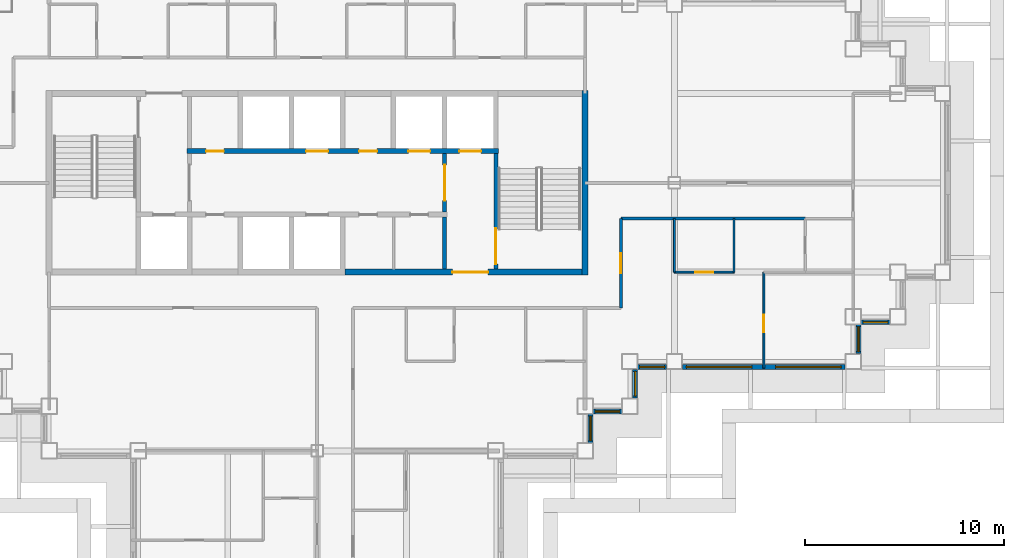
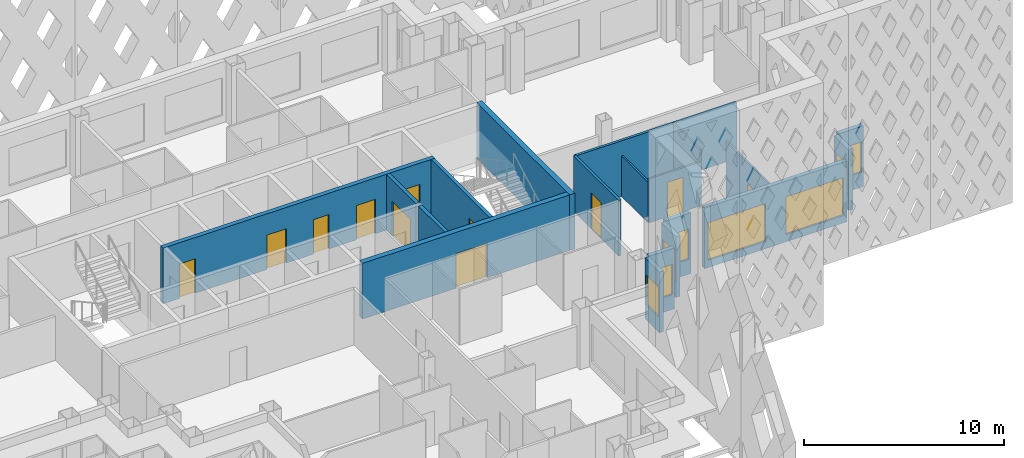
# One storey, part 6 of 19: 19 walls, 11 doors, 8 windows, 19 openings.
"""IFC4 building model written with IfcOpenShell, lengths in metres."""

from ifc_helpers import new_model, si_unit, direction, frame, frame_2d, origin, place, context, subcontext, project, spatial, rectangle, extrude, material, layer, layer_set, type_object, element, fill, save


model = new_model("IFC4")

# Units and contexts
model_context = context("Model", 3, precision=1e-05, world=origin(), true_north=direction((0.0, 1.0)))
body_context = subcontext(model_context, "Body", "Model", "MODEL_VIEW")
ifc_project = project(units=[si_unit("LENGTHUNIT", "METRE"), si_unit("AREAUNIT", "SQUARE_METRE"), si_unit("VOLUMEUNIT", "CUBIC_METRE"), si_unit("PLANEANGLEUNIT", "RADIAN"), si_unit("MASSUNIT", "GRAM", prefix="KILO")], contexts=[model_context])

# Site, building, storey
site_placement = place(None, origin())
site = spatial("IfcSite", under=ifc_project, at=site_placement, CompositionType="ELEMENT")
building_placement = place(site_placement, origin())
building = spatial("IfcBuilding", under=site, at=building_placement, Name="Caravel Reach Hotel and Residences", CompositionType="ELEMENT")
storey_placement = place(building_placement, frame((0.0, 0.0, 150.60009765625)))
storey = spatial("IfcBuildingStorey", under=building, at=storey_placement, Name="L37", CompositionType="ELEMENT", Elevation=150.60009765625)

# Wall
ifc_material_1 = material(Name="Autoclaved aerated block wall")
ifc_layer_1 = layer(ifc_material_1, 0.199951171875)
ifc_layer_set_1 = layer_set([ifc_layer_1], Name="Compartment wall 200 mm EI 120")
wall_type_1 = type_object("IfcWallType", Name="Compartment wall 200 mm EI 120", PredefinedType="PARTITIONING", material=ifc_layer_set_1)
wall_1_placement = place(storey_placement, frame((37.928466796875, 22.64990234375, 0.0), z_axis=(0.0, 0.0, 1.0), x_axis=(0.0, 1.0, 0.0)))
element("IfcWall", 1, at=wall_1_placement, inside=storey, type_object=wall_type_1, Name="L37 store partition", PredefinedType="PARTITIONING", context=body_context, shape_type="SweptSolid", body=[
    extrude(rectangle(XDim=2.625, YDim=0.199951171875, at=frame_2d((1.3125, 0.0))), origin(), (0.0, 0.0, 1.0), 3.39990234375),
])

# Wall, opening, door
ifc_material_2 = material(Name="Concrete C60", Category="concrete")
ifc_layer_2 = layer(ifc_material_2, 0.300048828125)
ifc_layer_set_2 = layer_set([ifc_layer_2], Name="Core wall 300 mm EI 120")
wall_type_2 = type_object("IfcWallType", Name="Core wall 300 mm EI 120", PredefinedType="SHEAR", material=ifc_layer_set_2)
wall_2_placement = place(storey_placement, frame((32.91064453125, 22.5, 0.0), z_axis=(0.0, 0.0, 1.0), x_axis=(1.0, 0.0, 0.0)))
wall_2 = element("IfcWall", 2, at=wall_2_placement, inside=storey, type_object=wall_type_2, Name="L37 core wall S3", PredefinedType="SHEAR", context=body_context, shape_type="SweptSolid", body=[
    extrude(rectangle(XDim=11.939453125, YDim=0.300048828125, at=frame_2d((5.9697265625, 0.0))), origin(), (0.0, 0.0, 1.0), 3.39990234375),
])
opening_1_placement = place(wall_2_placement, frame((5.403564453125, 0.0, 0.0)))
opening_1 = element("IfcOpeningElement", 3, at=opening_1_placement, cuts=wall_2, Name="Opening D37-016", PredefinedType="OPENING", context=body_context, shape_type="SweptSolid", body=[
    extrude(rectangle(XDim=1.800048828125, YDim=2.10009765625, at=frame_2d((0.89990234375, 1.050048828125))), frame((0.0, 0.159912109375, 0.0), z_axis=(0.0, -1.0, 0.0), x_axis=(1.0, 0.0, 0.0)), (0.0, 0.0, 1.0), 0.320068359375),
])
ifc_material_3 = material(Name="Steel fire door leaf", Category="steel")
door_type_1 = type_object("IfcDoorType", Name="Fire lobby door pair 1800 x 2100 EI 90", OperationType="DOUBLE_DOOR_SINGLE_SWING", PredefinedType="DOOR", material=ifc_material_3)
door_1_placement = place(opening_1_placement, origin())
door_1 = element("IfcDoor", 4, at=door_1_placement, inside=storey, type_object=door_type_1, Name="lobby S door pair to corridor", OperationType="DOUBLE_DOOR_SINGLE_SWING", OverallHeight=2.10009765625, OverallWidth=1.800048828125, PredefinedType="DOOR", context=body_context, shape_type="SweptSolid", body=[
    extrude(rectangle(XDim=1.800048828125, YDim=2.10009765625, at=frame_2d((0.89990234375, 1.050048828125))), frame((0.0, 0.02490234375, 0.0), z_axis=(0.0, -1.0, 0.0), x_axis=(1.0, 0.0, 0.0)), (0.0, 0.0, 1.0), 0.050048828125),
])
fill(opening_1, door_1)

# Walls
wall_3_placement = place(storey_placement, frame((45.0, 22.35009765625, 0.0), z_axis=(0.0, 0.0, 1.0), x_axis=(0.0, 1.0, 0.0)))
element("IfcWall", 5, at=wall_3_placement, inside=storey, type_object=wall_type_2, Name="L37 core wall E", PredefinedType="SHEAR", context=body_context, shape_type="SweptSolid", body=[
    extrude(rectangle(XDim=9.2998046875, YDim=0.300048828125, at=frame_2d((4.64990234375, 0.0))), origin(), (0.0, 0.0, 1.0), 3.39990234375),
])
ifc_material_4 = material(Name="Gypsum board on steel stud, fire-rated", Category="steel")
ifc_layer_3 = layer(ifc_material_4, 0.14990234375)
ifc_layer_set_3 = layer_set([ifc_layer_3], Name="Corridor wall 150 mm EI 60")
wall_type_3 = type_object("IfcWallType", Name="Corridor wall 150 mm EI 60", PredefinedType="PARTITIONING", material=ifc_layer_set_3)
wall_4_placement = place(storey_placement, frame((46.801025390625, 25.199951171875, 0.0), z_axis=(0.0, 0.0, 1.0), x_axis=(1.0, 0.0, 0.0)))
element("IfcWall", 6, at=wall_4_placement, inside=storey, type_object=wall_type_3, Name="L37 wall w006", PredefinedType="PARTITIONING", context=body_context, shape_type="SweptSolid", body=[
    extrude(rectangle(XDim=9.299072265625, YDim=0.14990234375, at=frame_2d((4.6494140625, 0.0))), origin(), (0.0, 0.0, 1.0), 3.39990234375),
])

# Wall, opening, door
wall_5_placement = place(storey_placement, frame((46.800048828125, 20.699951171875, 0.0), z_axis=(0.0, 0.0, 1.0), x_axis=(0.0, 1.0, 0.0)))
wall_5 = element("IfcWall", 7, at=wall_5_placement, inside=storey, type_object=wall_type_3, Name="L37 wall w032", PredefinedType="PARTITIONING", context=body_context, shape_type="SweptSolid", body=[
    extrude(rectangle(XDim=4.4990234375, YDim=0.14990234375, at=frame_2d((2.24951171875, 0.0))), origin(), (0.0, 0.0, 1.0), 3.39990234375),
])
opening_2_placement = place(wall_5_placement, frame((1.74951171875, 0.0, 0.0)))
opening_2 = element("IfcOpeningElement", 8, at=opening_2_placement, cuts=wall_5, Name="Opening D37-031", PredefinedType="OPENING", context=body_context, shape_type="SweptSolid", body=[
    extrude(rectangle(XDim=1.0, YDim=2.199951171875, at=frame_2d((0.5, 1.10009765625))), frame((0.0, 0.0849609375, 0.0), z_axis=(0.0, -1.0, 0.0), x_axis=(1.0, 0.0, 0.0)), (0.0, 0.0, 1.0), 0.169921875),
])
ifc_material_5 = material(Name="Steel fire door leaf", Category="steel")
door_type_2 = type_object("IfcDoorType", Name="Flat entrance door 1000 x 2200 EI 60", OperationType="SINGLE_SWING_LEFT", PredefinedType="DOOR", material=ifc_material_5)
door_2_placement = place(opening_2_placement, origin())
door_2 = element("IfcDoor", 9, at=door_2_placement, inside=storey, type_object=door_type_2, Name="door D37-031", OperationType="SINGLE_SWING_LEFT", OverallHeight=2.199951171875, OverallWidth=1.0, PredefinedType="DOOR", context=body_context, shape_type="SweptSolid", body=[
    extrude(rectangle(XDim=1.0, YDim=2.199951171875, at=frame_2d((0.5, 1.10009765625))), frame((0.0, 0.02490234375, 0.0), z_axis=(0.0, -1.0, 0.0), x_axis=(1.0, 0.0, 0.0)), (0.0, 0.0, 1.0), 0.050048828125),
])
fill(opening_2, door_2)

# Wall, opening, window
ifc_material_6 = material(Name="Insulated rainscreen wall, aluminium cladding", Category="aluminium")
ifc_layer_4 = layer(ifc_material_6, 0.25)
ifc_layer_set_4 = layer_set([ifc_layer_4], Name="EW1 Tower rainscreen wall")
wall_type_4 = type_object("IfcWallType", Name="EW1 Tower rainscreen wall", PredefinedType="SOLIDWALL", material=ifc_layer_set_4)
wall_6_placement = place(storey_placement, frame((45.27490234375, 13.89990234375, 0.0), z_axis=(0.0, 0.0, 1.0), x_axis=(0.0, 1.0, 0.0)))
wall_6 = element("IfcWall", 10, at=wall_6_placement, inside=storey, type_object=wall_type_4, Name="External wall L37 E12.1", PredefinedType="SOLIDWALL", context=body_context, shape_type="SweptSolid", body=[
    extrude(rectangle(XDim=1.4501953125, YDim=0.25, at=frame_2d((0.72509765625, 0.0))), origin(), (0.0, 0.0, 1.0), 3.699951171875),
])
opening_3_placement = place(wall_6_placement, frame((0.10009765625, 0.0, 0.89990234375)))
opening_3 = element("IfcOpeningElement", 11, at=opening_3_placement, cuts=wall_6, Name="Opening WN13", PredefinedType="OPENING", context=body_context, shape_type="SweptSolid", body=[
    extrude(rectangle(XDim=1.25, YDim=1.85009765625, at=frame_2d((0.625, 0.925048828125))), frame((0.0, 0.135009765625, 0.0), z_axis=(0.0, -1.0, 0.0), x_axis=(1.0, 0.0, 0.0)), (0.0, 0.0, 1.0), 0.27001953125),
])
ifc_material_7 = material(Name="Dark low-e glazing in black aluminium frame", Category="aluminium")
window_type_1 = type_object("IfcWindowType", Name="Residence bedroom window 1250 x 1850", PartitioningType="SINGLE_PANEL", PredefinedType="WINDOW", material=ifc_material_7)
window_1_placement = place(opening_3_placement, origin())
window_1 = element("IfcWindow", 12, at=window_1_placement, inside=storey, type_object=window_type_1, Name="Window L37 E12.1.1", OverallHeight=1.85009765625, OverallWidth=1.25, PartitioningType="SINGLE_PANEL", PredefinedType="WINDOW", context=body_context, shape_type="SweptSolid", body=[
    extrude(rectangle(XDim=1.25, YDim=1.85009765625, at=frame_2d((0.625, 0.925048828125))), frame((0.0, 0.030029296875, 0.0), z_axis=(0.0, -1.0, 0.0), x_axis=(1.0, 0.0, 0.0)), (0.0, 0.0, 1.0), 0.06005859375),
])
fill(opening_3, window_1)

wall_7_placement = place(storey_placement, frame((45.39990234375, 15.47509765625, 0.0), z_axis=(0.0, 0.0, 1.0), x_axis=(1.0, 0.0, 0.0)))
wall_7 = element("IfcWall", 13, at=wall_7_placement, inside=storey, type_object=wall_type_4, Name="External wall L37 S13.1", PredefinedType="SOLIDWALL", context=body_context, shape_type="SweptSolid", body=[
    extrude(rectangle(XDim=1.4501953125, YDim=0.25, at=frame_2d((0.72509765625, 0.0))), origin(), (0.0, 0.0, 1.0), 3.699951171875),
])
opening_4_placement = place(wall_7_placement, frame((0.10009765625, 0.0, 0.89990234375)))
opening_4 = element("IfcOpeningElement", 14, at=opening_4_placement, cuts=wall_7, Name="Opening WN13", PredefinedType="OPENING", context=body_context, shape_type="SweptSolid", body=[
    extrude(rectangle(XDim=1.25, YDim=1.85009765625, at=frame_2d((0.625, 0.925048828125))), frame((0.0, 0.135009765625, 0.0), z_axis=(0.0, -1.0, 0.0), x_axis=(1.0, 0.0, 0.0)), (0.0, 0.0, 1.0), 0.27001953125),
])
window_2_placement = place(opening_4_placement, origin())
window_2 = element("IfcWindow", 15, at=window_2_placement, inside=storey, type_object=window_type_1, Name="Window L37 S13.1.1", OverallHeight=1.85009765625, OverallWidth=1.25, PartitioningType="SINGLE_PANEL", PredefinedType="WINDOW", context=body_context, shape_type="SweptSolid", body=[
    extrude(rectangle(XDim=1.25, YDim=1.85009765625, at=frame_2d((0.625, 0.925048828125))), frame((0.0, 0.030029296875, 0.0), z_axis=(0.0, -1.0, 0.0), x_axis=(1.0, 0.0, 0.0)), (0.0, 0.0, 1.0), 0.06005859375),
])
fill(opening_4, window_2)

wall_8_placement = place(storey_placement, frame((47.52490234375, 16.14990234375, 0.0), z_axis=(0.0, 0.0, 1.0), x_axis=(0.0, 1.0, 0.0)))
wall_8 = element("IfcWall", 16, at=wall_8_placement, inside=storey, type_object=wall_type_4, Name="External wall L37 E14.1", PredefinedType="SOLIDWALL", context=body_context, shape_type="SweptSolid", body=[
    extrude(rectangle(XDim=1.4501953125, YDim=0.25, at=frame_2d((0.72509765625, 0.0))), origin(), (0.0, 0.0, 1.0), 3.699951171875),
])
opening_5_placement = place(wall_8_placement, frame((0.10009765625, 0.0, 0.89990234375)))
opening_5 = element("IfcOpeningElement", 17, at=opening_5_placement, cuts=wall_8, Name="Opening WN13", PredefinedType="OPENING", context=body_context, shape_type="SweptSolid", body=[
    extrude(rectangle(XDim=1.25, YDim=1.85009765625, at=frame_2d((0.625, 0.925048828125))), frame((0.0, 0.135009765625, 0.0), z_axis=(0.0, -1.0, 0.0), x_axis=(1.0, 0.0, 0.0)), (0.0, 0.0, 1.0), 0.27001953125),
])
window_3_placement = place(opening_5_placement, origin())
window_3 = element("IfcWindow", 18, at=window_3_placement, inside=storey, type_object=window_type_1, Name="Window L37 E14.1.1", OverallHeight=1.85009765625, OverallWidth=1.25, PartitioningType="SINGLE_PANEL", PredefinedType="WINDOW", context=body_context, shape_type="SweptSolid", body=[
    extrude(rectangle(XDim=1.25, YDim=1.85009765625, at=frame_2d((0.625, 0.925048828125))), frame((0.0, 0.030029296875, 0.0), z_axis=(0.0, -1.0, 0.0), x_axis=(1.0, 0.0, 0.0)), (0.0, 0.0, 1.0), 0.06005859375),
])
fill(opening_5, window_3)

wall_9_placement = place(storey_placement, frame((47.64990234375, 17.72509765625, 0.0), z_axis=(0.0, 0.0, 1.0), x_axis=(1.0, 0.0, 0.0)))
wall_9 = element("IfcWall", 19, at=wall_9_placement, inside=storey, type_object=wall_type_4, Name="External wall L37 S15.1", PredefinedType="SOLIDWALL", context=body_context, shape_type="SweptSolid", body=[
    extrude(rectangle(XDim=1.4501953125, YDim=0.25, at=frame_2d((0.72509765625, 0.0))), origin(), (0.0, 0.0, 1.0), 3.699951171875),
])
opening_6_placement = place(wall_9_placement, frame((0.10009765625, 0.0, 0.89990234375)))
opening_6 = element("IfcOpeningElement", 20, at=opening_6_placement, cuts=wall_9, Name="Opening WN13", PredefinedType="OPENING", context=body_context, shape_type="SweptSolid", body=[
    extrude(rectangle(XDim=1.25, YDim=1.85009765625, at=frame_2d((0.625, 0.925048828125))), frame((0.0, 0.135009765625, 0.0), z_axis=(0.0, -1.0, 0.0), x_axis=(1.0, 0.0, 0.0)), (0.0, 0.0, 1.0), 0.27001953125),
])
window_4_placement = place(opening_6_placement, origin())
window_4 = element("IfcWindow", 21, at=window_4_placement, inside=storey, type_object=window_type_1, Name="Window L37 S15.1.1", OverallHeight=1.85009765625, OverallWidth=1.25, PartitioningType="SINGLE_PANEL", PredefinedType="WINDOW", context=body_context, shape_type="SweptSolid", body=[
    extrude(rectangle(XDim=1.25, YDim=1.85009765625, at=frame_2d((0.625, 0.925048828125))), frame((0.0, 0.030029296875, 0.0), z_axis=(0.0, -1.0, 0.0), x_axis=(1.0, 0.0, 0.0)), (0.0, 0.0, 1.0), 0.06005859375),
])
fill(opening_6, window_4)

# Wall, openings, windows
wall_10_placement = place(storey_placement, frame((49.89990234375, 17.72509765625, 0.0), z_axis=(0.0, 0.0, 1.0), x_axis=(1.0, 0.0, 0.0)))
wall_10 = element("IfcWall", 22, at=wall_10_placement, inside=storey, type_object=wall_type_4, Name="External wall L37 S15.2", PredefinedType="SOLIDWALL", context=body_context, shape_type="SweptSolid", body=[
    extrude(rectangle(XDim=8.2001953125, YDim=0.25, at=frame_2d((4.10009765625, 0.0))), origin(), (0.0, 0.0, 1.0), 3.699951171875),
])
opening_7_placement = place(wall_10_placement, frame((0.199951171875, 0.0, 0.449951171875)))
opening_7 = element("IfcOpeningElement", 23, at=opening_7_placement, cuts=wall_10, Name="Opening WN15", PredefinedType="OPENING", context=body_context, shape_type="SweptSolid", body=[
    extrude(rectangle(XDim=3.300048828125, YDim=2.300048828125, at=frame_2d((1.64990234375, 1.14990234375))), frame((0.0, 0.135009765625, 0.0), z_axis=(0.0, -1.0, 0.0), x_axis=(1.0, 0.0, 0.0)), (0.0, 0.0, 1.0), 0.27001953125),
])
opening_8_placement = place(wall_10_placement, frame((4.699951171875, 0.0, 0.449951171875)))
opening_8 = element("IfcOpeningElement", 24, at=opening_8_placement, cuts=wall_10, Name="Opening WN15", PredefinedType="OPENING", context=body_context, shape_type="SweptSolid", body=[
    extrude(rectangle(XDim=3.300048828125, YDim=2.300048828125, at=frame_2d((1.64990234375, 1.14990234375))), frame((0.0, 0.135009765625, 0.0), z_axis=(0.0, -1.0, 0.0), x_axis=(1.0, 0.0, 0.0)), (0.0, 0.0, 1.0), 0.27001953125),
])
ifc_material_8 = material(Name="Dark low-e glazing in black aluminium frame", Category="aluminium")
window_type_2 = type_object("IfcWindowType", Name="Residence living window 3300 x 2300", PartitioningType="SINGLE_PANEL", PredefinedType="WINDOW", material=ifc_material_8)
window_5_placement = place(opening_7_placement, origin())
window_5 = element("IfcWindow", 25, at=window_5_placement, inside=storey, type_object=window_type_2, Name="Window L37 S15.2.1", OverallHeight=2.300048828125, OverallWidth=3.300048828125, PartitioningType="SINGLE_PANEL", PredefinedType="WINDOW", context=body_context, shape_type="SweptSolid", body=[
    extrude(rectangle(XDim=3.300048828125, YDim=2.300048828125, at=frame_2d((1.64990234375, 1.14990234375))), frame((0.0, 0.030029296875, 0.0), z_axis=(0.0, -1.0, 0.0), x_axis=(1.0, 0.0, 0.0)), (0.0, 0.0, 1.0), 0.06005859375),
])
fill(opening_7, window_5)
window_6_placement = place(opening_8_placement, origin())
window_6 = element("IfcWindow", 26, at=window_6_placement, inside=storey, type_object=window_type_2, Name="Window L37 S15.2.2", OverallHeight=2.300048828125, OverallWidth=3.300048828125, PartitioningType="SINGLE_PANEL", PredefinedType="WINDOW", context=body_context, shape_type="SweptSolid", body=[
    extrude(rectangle(XDim=3.300048828125, YDim=2.300048828125, at=frame_2d((1.64990234375, 1.14990234375))), frame((0.0, 0.030029296875, 0.0), z_axis=(0.0, -1.0, 0.0), x_axis=(1.0, 0.0, 0.0)), (0.0, 0.0, 1.0), 0.06005859375),
])
fill(opening_8, window_6)

# Wall, opening, window
wall_11_placement = place(storey_placement, frame((58.77490234375, 18.39990234375, 0.0), z_axis=(0.0, 0.0, 1.0), x_axis=(0.0, 1.0, 0.0)))
wall_11 = element("IfcWall", 27, at=wall_11_placement, inside=storey, type_object=wall_type_4, Name="External wall L37 E16.1", PredefinedType="SOLIDWALL", context=body_context, shape_type="SweptSolid", body=[
    extrude(rectangle(XDim=1.4501953125, YDim=0.25, at=frame_2d((0.72509765625, 0.0))), origin(), (0.0, 0.0, 1.0), 3.699951171875),
])
opening_9_placement = place(wall_11_placement, frame((0.10009765625, 0.0, 0.89990234375)))
opening_9 = element("IfcOpeningElement", 28, at=opening_9_placement, cuts=wall_11, Name="Opening WN13", PredefinedType="OPENING", context=body_context, shape_type="SweptSolid", body=[
    extrude(rectangle(XDim=1.25, YDim=1.85009765625, at=frame_2d((0.625, 0.925048828125))), frame((0.0, 0.135009765625, 0.0), z_axis=(0.0, -1.0, 0.0), x_axis=(1.0, 0.0, 0.0)), (0.0, 0.0, 1.0), 0.27001953125),
])
window_7_placement = place(opening_9_placement, origin())
window_7 = element("IfcWindow", 29, at=window_7_placement, inside=storey, type_object=window_type_1, Name="Window L37 E16.1.1", OverallHeight=1.85009765625, OverallWidth=1.25, PartitioningType="SINGLE_PANEL", PredefinedType="WINDOW", context=body_context, shape_type="SweptSolid", body=[
    extrude(rectangle(XDim=1.25, YDim=1.85009765625, at=frame_2d((0.625, 0.925048828125))), frame((0.0, 0.030029296875, 0.0), z_axis=(0.0, -1.0, 0.0), x_axis=(1.0, 0.0, 0.0)), (0.0, 0.0, 1.0), 0.06005859375),
])
fill(opening_9, window_7)

wall_12_placement = place(storey_placement, frame((58.89990234375, 19.97509765625, 0.0), z_axis=(0.0, 0.0, 1.0), x_axis=(1.0, 0.0, 0.0)))
wall_12 = element("IfcWall", 30, at=wall_12_placement, inside=storey, type_object=wall_type_4, Name="External wall L37 S17.1", PredefinedType="SOLIDWALL", context=body_context, shape_type="SweptSolid", body=[
    extrude(rectangle(XDim=1.4501953125, YDim=0.25, at=frame_2d((0.72509765625, 0.0))), origin(), (0.0, 0.0, 1.0), 3.699951171875),
])
opening_10_placement = place(wall_12_placement, frame((0.10009765625, 0.0, 0.89990234375)))
opening_10 = element("IfcOpeningElement", 31, at=opening_10_placement, cuts=wall_12, Name="Opening WN13", PredefinedType="OPENING", context=body_context, shape_type="SweptSolid", body=[
    extrude(rectangle(XDim=1.25, YDim=1.85009765625, at=frame_2d((0.625, 0.925048828125))), frame((0.0, 0.135009765625, 0.0), z_axis=(0.0, -1.0, 0.0), x_axis=(1.0, 0.0, 0.0)), (0.0, 0.0, 1.0), 0.27001953125),
])
window_8_placement = place(opening_10_placement, origin())
window_8 = element("IfcWindow", 32, at=window_8_placement, inside=storey, type_object=window_type_1, Name="Window L37 S17.1.1", OverallHeight=1.85009765625, OverallWidth=1.25, PartitioningType="SINGLE_PANEL", PredefinedType="WINDOW", context=body_context, shape_type="SweptSolid", body=[
    extrude(rectangle(XDim=1.25, YDim=1.85009765625, at=frame_2d((0.625, 0.925048828125))), frame((0.0, 0.030029296875, 0.0), z_axis=(0.0, -1.0, 0.0), x_axis=(1.0, 0.0, 0.0)), (0.0, 0.0, 1.0), 0.06005859375),
])
fill(opening_10, window_8)

# Wall, opening, door
ifc_material_9 = material(Name="Autoclaved aerated block wall")
ifc_layer_5 = layer(ifc_material_9, 0.199951171875)
ifc_layer_set_5 = layer_set([ifc_layer_5], Name="Fire lobby wall 200 mm EI 120")
wall_type_5 = type_object("IfcWallType", Name="Fire lobby wall 200 mm EI 120", PredefinedType="PARTITIONING", material=ifc_layer_set_5)
wall_13_placement = place(storey_placement, frame((37.928466796875, 25.52490234375, 0.0), z_axis=(0.0, 0.0, 1.0), x_axis=(0.0, 1.0, 0.0)))
wall_13 = element("IfcWall", 33, at=wall_13_placement, inside=storey, type_object=wall_type_5, Name="L37 lobby E wall", PredefinedType="PARTITIONING", context=body_context, shape_type="SweptSolid", body=[
    extrude(rectangle(XDim=2.9501953125, YDim=0.199951171875, at=frame_2d((1.47509765625, 0.0))), origin(), (0.0, 0.0, 1.0), 3.39990234375),
])
opening_11_placement = place(wall_13_placement, frame((0.574951171875, 0.0, 0.0)))
opening_11 = element("IfcOpeningElement", 34, at=opening_11_placement, cuts=wall_13, Name="Opening D37-014", PredefinedType="OPENING", context=body_context, shape_type="SweptSolid", body=[
    extrude(rectangle(XDim=1.800048828125, YDim=2.10009765625, at=frame_2d((0.89990234375, 1.050048828125))), frame((0.0, 0.10986328125, 0.0), z_axis=(0.0, -1.0, 0.0), x_axis=(1.0, 0.0, 0.0)), (0.0, 0.0, 1.0), 0.219970703125),
])
door_3_placement = place(opening_11_placement, origin())
door_3 = element("IfcDoor", 35, at=door_3_placement, inside=storey, type_object=door_type_1, Name="lobby E door pair", OperationType="DOUBLE_DOOR_SINGLE_SWING", OverallHeight=2.10009765625, OverallWidth=1.800048828125, PredefinedType="DOOR", context=body_context, shape_type="SweptSolid", body=[
    extrude(rectangle(XDim=1.800048828125, YDim=2.10009765625, at=frame_2d((0.89990234375, 1.050048828125))), frame((0.0, 0.02490234375, 0.0), z_axis=(0.0, -1.0, 0.0), x_axis=(1.0, 0.0, 0.0)), (0.0, 0.0, 1.0), 0.050048828125),
])
fill(opening_11, door_3)

ifc_material_10 = material(Name="Gypsum board on steel stud", Category="steel")
ifc_layer_6 = layer(ifc_material_10, 0.10009765625)
ifc_layer_set_6 = layer_set([ifc_layer_6], Name="Partition 100 mm")
wall_type_6 = type_object("IfcWallType", Name="Partition 100 mm", PredefinedType="PARTITIONING", material=ifc_layer_set_6)
wall_14_placement = place(storey_placement, frame((49.5, 22.5, 0.0), z_axis=(0.0, 0.0, 1.0), x_axis=(1.0, 0.0, 0.0)))
wall_14 = element("IfcWall", 36, at=wall_14_placement, inside=storey, type_object=wall_type_6, Name="L37 wall w038", PredefinedType="PARTITIONING", context=body_context, shape_type="SweptSolid", body=[
    extrude(rectangle(XDim=3.0, YDim=0.10009765625, at=frame_2d((1.5, 0.0))), origin(), (0.0, 0.0, 1.0), 2.679931640625),
])
opening_12_placement = place(wall_14_placement, frame((1.050048828125, 0.0, 0.0)))
opening_12 = element("IfcOpeningElement", 37, at=opening_12_placement, cuts=wall_14, Name="Opening D37-032", PredefinedType="OPENING", context=body_context, shape_type="SweptSolid", body=[
    extrude(rectangle(XDim=0.89990234375, YDim=2.10009765625, at=frame_2d((0.449951171875, 1.050048828125))), frame((0.0, 0.06005859375, 0.0), z_axis=(0.0, -1.0, 0.0), x_axis=(1.0, 0.0, 0.0)), (0.0, 0.0, 1.0), 0.1201171875),
])
ifc_material_11 = material(Name="Timber and steel door leaf", Category="steel")
door_type_3 = type_object("IfcDoorType", Name="Door 900 x 2100 timber", OperationType="SINGLE_SWING_LEFT", PredefinedType="DOOR", material=ifc_material_11)
door_4_placement = place(opening_12_placement, origin())
door_4 = element("IfcDoor", 38, at=door_4_placement, inside=storey, type_object=door_type_3, Name="door D37-032", OperationType="SINGLE_SWING_RIGHT", OverallHeight=2.10009765625, OverallWidth=0.89990234375, PredefinedType="DOOR", context=body_context, shape_type="SweptSolid", body=[
    extrude(rectangle(XDim=0.89990234375, YDim=2.10009765625, at=frame_2d((0.449951171875, 1.050048828125))), frame((0.0, 0.02490234375, 0.0), z_axis=(0.0, -1.0, 0.0), x_axis=(1.0, 0.0, 0.0)), (0.0, 0.0, 1.0), 0.050048828125),
])
fill(opening_12, door_4)

# Walls
wall_15_placement = place(storey_placement, frame((49.5, 22.5, 0.0), z_axis=(0.0, 0.0, 1.0), x_axis=(0.0, 1.0, 0.0)))
element("IfcWall", 39, at=wall_15_placement, inside=storey, type_object=wall_type_6, Name="L37 wall w067", PredefinedType="PARTITIONING", context=body_context, shape_type="SweptSolid", body=[
    extrude(rectangle(XDim=2.698974609375, YDim=0.10009765625, at=frame_2d((1.349609375, 0.0))), origin(), (0.0, 0.0, 1.0), 2.47998046875),
])
wall_16_placement = place(storey_placement, frame((52.5, 22.5, 0.0), z_axis=(0.0, 0.0, 1.0), x_axis=(0.0, 1.0, 0.0)))
element("IfcWall", 40, at=wall_16_placement, inside=storey, type_object=wall_type_6, Name="L37 wall w068", PredefinedType="PARTITIONING", context=body_context, shape_type="SweptSolid", body=[
    extrude(rectangle(XDim=2.699951171875, YDim=0.10009765625, at=frame_2d((1.35009765625, 0.0))), origin(), (0.0, 0.0, 1.0), 3.39990234375),
])

# Wall, opening, door
wall_17_placement = place(storey_placement, frame((54.0, 17.659912109375, 0.0), z_axis=(0.0, 0.0, 1.0), x_axis=(0.0, 1.0, 0.0)))
wall_17 = element("IfcWall", 41, at=wall_17_placement, inside=storey, type_object=wall_type_6, Name="L37 wall w069", PredefinedType="PARTITIONING", context=body_context, shape_type="SweptSolid", body=[
    extrude(rectangle(XDim=4.840087890625, YDim=0.10009765625, at=frame_2d((2.419921875, 0.0))), origin(), (0.0, 0.0, 1.0), 3.39990234375),
])
opening_13_placement = place(wall_17_placement, frame((1.800048828125, 0.0, 0.0)))
opening_13 = element("IfcOpeningElement", 42, at=opening_13_placement, cuts=wall_17, Name="Opening D37-034", PredefinedType="OPENING", context=body_context, shape_type="SweptSolid", body=[
    extrude(rectangle(XDim=0.89990234375, YDim=2.10009765625, at=frame_2d((0.449951171875, 1.050048828125))), frame((0.0, 0.06005859375, 0.0), z_axis=(0.0, -1.0, 0.0), x_axis=(1.0, 0.0, 0.0)), (0.0, 0.0, 1.0), 0.1201171875),
])
door_5_placement = place(opening_13_placement, origin())
door_5 = element("IfcDoor", 43, at=door_5_placement, inside=storey, type_object=door_type_3, Name="door D37-034", OperationType="SINGLE_SWING_RIGHT", OverallHeight=2.10009765625, OverallWidth=0.89990234375, PredefinedType="DOOR", context=body_context, shape_type="SweptSolid", body=[
    extrude(rectangle(XDim=0.89990234375, YDim=2.10009765625, at=frame_2d((0.449951171875, 1.050048828125))), frame((0.0, 0.02490234375, 0.0), z_axis=(0.0, -1.0, 0.0), x_axis=(1.0, 0.0, 0.0)), (0.0, 0.0, 1.0), 0.050048828125),
])
fill(opening_13, door_5)

# Wall, openings, doors
ifc_material_12 = material(Name="Concrete C60", Category="concrete")
ifc_layer_7 = layer(ifc_material_12, 0.25)
ifc_layer_set_7 = layer_set([ifc_layer_7], Name="Shaft wall 250 mm EI 120")
wall_type_7 = type_object("IfcWallType", Name="Shaft wall 250 mm EI 120", PredefinedType="SHEAR", material=ifc_layer_set_7)
wall_18_placement = place(storey_placement, frame((24.946533203125, 28.60009765625, 0.0), z_axis=(0.0, 0.0, 1.0), x_axis=(1.0, 0.0, 0.0)))
wall_18 = element("IfcWall", 44, at=wall_18_placement, inside=storey, type_object=wall_type_7, Name="L37 lobby wall N1", PredefinedType="SHEAR", context=body_context, shape_type="SweptSolid", body=[
    extrude(rectangle(XDim=15.678466796875, YDim=0.25, at=frame_2d((7.83935546875, 0.0))), origin(), (0.0, 0.0, 1.0), 3.39990234375),
])
opening_14_placement = place(wall_18_placement, frame((6.003662109375, 0.0, 0.0)))
opening_14 = element("IfcOpeningElement", 45, at=opening_14_placement, cuts=wall_18, Name="Opening D37-002", PredefinedType="OPENING", context=body_context, shape_type="SweptSolid", body=[
    extrude(rectangle(XDim=1.10009765625, YDim=2.10009765625, at=frame_2d((0.550048828125, 1.050048828125))), frame((0.0, 0.135009765625, 0.0), z_axis=(0.0, -1.0, 0.0), x_axis=(1.0, 0.0, 0.0)), (0.0, 0.0, 1.0), 0.27001953125),
])
opening_15_placement = place(wall_18_placement, frame((11.146484375, 0.0, 0.0)))
opening_15 = element("IfcOpeningElement", 46, at=opening_15_placement, cuts=wall_18, Name="Opening D37-003", PredefinedType="OPENING", context=body_context, shape_type="SweptSolid", body=[
    extrude(rectangle(XDim=1.10009765625, YDim=2.10009765625, at=frame_2d((0.550048828125, 1.050048828125))), frame((0.0, 0.135009765625, 0.0), z_axis=(0.0, -1.0, 0.0), x_axis=(1.0, 0.0, 0.0)), (0.0, 0.0, 1.0), 0.27001953125),
])
opening_16_placement = place(wall_18_placement, frame((13.718017578125, 0.0, 0.0)))
opening_16 = element("IfcOpeningElement", 47, at=opening_16_placement, cuts=wall_18, Name="Opening D37-005", PredefinedType="OPENING", context=body_context, shape_type="SweptSolid", body=[
    extrude(rectangle(XDim=1.10009765625, YDim=2.10009765625, at=frame_2d((0.550048828125, 1.050048828125))), frame((0.0, 0.135009765625, 0.0), z_axis=(0.0, -1.0, 0.0), x_axis=(1.0, 0.0, 0.0)), (0.0, 0.0, 1.0), 0.27001953125),
])
opening_17_placement = place(wall_18_placement, frame((0.960693359375, 0.0, 0.0)))
opening_17 = element("IfcOpeningElement", 48, at=opening_17_placement, cuts=wall_18, Name="Opening D37-009", PredefinedType="OPENING", context=body_context, shape_type="SweptSolid", body=[
    extrude(rectangle(XDim=0.89990234375, YDim=2.10009765625, at=frame_2d((0.449951171875, 1.050048828125))), frame((0.0, 0.135009765625, 0.0), z_axis=(0.0, -1.0, 0.0), x_axis=(1.0, 0.0, 0.0)), (0.0, 0.0, 1.0), 0.27001953125),
])
opening_18_placement = place(wall_18_placement, frame((8.675048828125, 0.0, 0.0)))
opening_18 = element("IfcOpeningElement", 49, at=opening_18_placement, cuts=wall_18, Name="Opening D37-010", PredefinedType="OPENING", context=body_context, shape_type="SweptSolid", body=[
    extrude(rectangle(XDim=0.89990234375, YDim=2.10009765625, at=frame_2d((0.449951171875, 1.050048828125))), frame((0.0, 0.135009765625, 0.0), z_axis=(0.0, -1.0, 0.0), x_axis=(1.0, 0.0, 0.0)), (0.0, 0.0, 1.0), 0.27001953125),
])
ifc_material_13 = material(Name="Stainless steel landing door", Category="steel")
door_type_4 = type_object("IfcDoorType", Name="Landing door LD 1100 x 2100 sliding", OperationType="DOUBLE_DOOR_SLIDING", PredefinedType="DOOR", material=ifc_material_13)
door_6_placement = place(opening_14_placement, origin())
door_6 = element("IfcDoor", 50, at=door_6_placement, inside=storey, type_object=door_type_4, Name="MP2 landing door", OperationType="DOUBLE_DOOR_SLIDING", OverallHeight=2.10009765625, OverallWidth=1.10009765625, PredefinedType="DOOR", context=body_context, shape_type="SweptSolid", body=[
    extrude(rectangle(XDim=1.10009765625, YDim=2.10009765625, at=frame_2d((0.550048828125, 1.050048828125))), frame((0.0, 0.02490234375, 0.0), z_axis=(0.0, -1.0, 0.0), x_axis=(1.0, 0.0, 0.0)), (0.0, 0.0, 1.0), 0.050048828125),
])
fill(opening_14, door_6)
door_7_placement = place(opening_15_placement, origin())
door_7 = element("IfcDoor", 51, at=door_7_placement, inside=storey, type_object=door_type_4, Name="MP3 landing door", OperationType="DOUBLE_DOOR_SLIDING", OverallHeight=2.10009765625, OverallWidth=1.10009765625, PredefinedType="DOOR", context=body_context, shape_type="SweptSolid", body=[
    extrude(rectangle(XDim=1.10009765625, YDim=2.10009765625, at=frame_2d((0.550048828125, 1.050048828125))), frame((0.0, 0.02490234375, 0.0), z_axis=(0.0, -1.0, 0.0), x_axis=(1.0, 0.0, 0.0)), (0.0, 0.0, 1.0), 0.050048828125),
])
fill(opening_15, door_7)
door_8_placement = place(opening_16_placement, origin())
door_8 = element("IfcDoor", 52, at=door_8_placement, inside=storey, type_object=door_type_4, Name="FL2 landing door", OperationType="DOUBLE_DOOR_SLIDING", OverallHeight=2.10009765625, OverallWidth=1.10009765625, PredefinedType="DOOR", context=body_context, shape_type="SweptSolid", body=[
    extrude(rectangle(XDim=1.10009765625, YDim=2.10009765625, at=frame_2d((0.550048828125, 1.050048828125))), frame((0.0, 0.02490234375, 0.0), z_axis=(0.0, -1.0, 0.0), x_axis=(1.0, 0.0, 0.0)), (0.0, 0.0, 1.0), 0.050048828125),
])
fill(opening_16, door_8)
ifc_material_14 = material(Name="Steel fire door leaf", Category="steel")
door_type_5 = type_object("IfcDoorType", Name="Riser door 900 x 2100 EI 60", OperationType="SINGLE_SWING_LEFT", PredefinedType="DOOR", material=ifc_material_14)
door_9_placement = place(opening_17_placement, origin())
door_9 = element("IfcDoor", 53, at=door_9_placement, inside=storey, type_object=door_type_5, Name="Housekeeping store door", OperationType="SINGLE_SWING_LEFT", OverallHeight=2.10009765625, OverallWidth=0.89990234375, PredefinedType="DOOR", context=body_context, shape_type="SweptSolid", body=[
    extrude(rectangle(XDim=0.89990234375, YDim=2.10009765625, at=frame_2d((0.449951171875, 1.050048828125))), frame((0.0, 0.02490234375, 0.0), z_axis=(0.0, -1.0, 0.0), x_axis=(1.0, 0.0, 0.0)), (0.0, 0.0, 1.0), 0.050048828125),
])
fill(opening_17, door_9)
door_10_placement = place(opening_18_placement, origin())
door_10 = element("IfcDoor", 54, at=door_10_placement, inside=storey, type_object=door_type_5, Name="Mail store door", OperationType="SINGLE_SWING_LEFT", OverallHeight=2.10009765625, OverallWidth=0.89990234375, PredefinedType="DOOR", context=body_context, shape_type="SweptSolid", body=[
    extrude(rectangle(XDim=0.89990234375, YDim=2.10009765625, at=frame_2d((0.449951171875, 1.050048828125))), frame((0.0, 0.02490234375, 0.0), z_axis=(0.0, -1.0, 0.0), x_axis=(1.0, 0.0, 0.0)), (0.0, 0.0, 1.0), 0.050048828125),
])
fill(opening_18, door_10)

# Wall, opening, door
ifc_material_15 = material(Name="Concrete C60", Category="concrete")
ifc_layer_8 = layer(ifc_material_15, 0.199951171875)
ifc_layer_set_8 = layer_set([ifc_layer_8], Name="Stair enclosure wall 200 mm EI 120")
wall_type_8 = type_object("IfcWallType", Name="Stair enclosure wall 200 mm EI 120", PredefinedType="SHEAR", material=ifc_layer_set_8)
wall_19_placement = place(storey_placement, frame((40.5, 22.64990234375, 0.0), z_axis=(0.0, 0.0, 1.0), x_axis=(0.0, 1.0, 0.0)))
wall_19 = element("IfcWall", 55, at=wall_19_placement, inside=storey, type_object=wall_type_8, Name="L37 stair B wall", PredefinedType="SHEAR", context=body_context, shape_type="SweptSolid", body=[
    extrude(rectangle(XDim=5.8251953125, YDim=0.199951171875, at=frame_2d((2.91259765625, 0.0))), origin(), (0.0, 0.0, 1.0), 3.39990234375),
])
opening_19_placement = place(wall_19_placement, frame((0.25, 0.0, 0.0)))
opening_19 = element("IfcOpeningElement", 56, at=opening_19_placement, cuts=wall_19, Name="Opening D37-012", PredefinedType="OPENING", context=body_context, shape_type="SweptSolid", body=[
    extrude(rectangle(XDim=1.800048828125, YDim=2.10009765625, at=frame_2d((0.89990234375, 1.050048828125))), frame((0.0, 0.10986328125, 0.0), z_axis=(0.0, -1.0, 0.0), x_axis=(1.0, 0.0, 0.0)), (0.0, 0.0, 1.0), 0.219970703125),
])
ifc_material_16 = material(Name="Steel fire door leaf", Category="steel")
door_type_6 = type_object("IfcDoorType", Name="Stair door pair 1800 x 2100 EI 90", OperationType="DOUBLE_DOOR_SINGLE_SWING", PredefinedType="DOOR", material=ifc_material_16)
door_11_placement = place(opening_19_placement, origin())
door_11 = element("IfcDoor", 57, at=door_11_placement, inside=storey, type_object=door_type_6, Name="stair B door pair", OperationType="DOUBLE_DOOR_SINGLE_SWING", OverallHeight=2.10009765625, OverallWidth=1.800048828125, PredefinedType="DOOR", context=body_context, shape_type="SweptSolid", body=[
    extrude(rectangle(XDim=1.800048828125, YDim=2.10009765625, at=frame_2d((0.89990234375, 1.050048828125))), frame((0.0, 0.02490234375, 0.0), z_axis=(0.0, -1.0, 0.0), x_axis=(1.0, 0.0, 0.0)), (0.0, 0.0, 1.0), 0.050048828125),
])
fill(opening_19, door_11)

save(model, "model.ifc")
